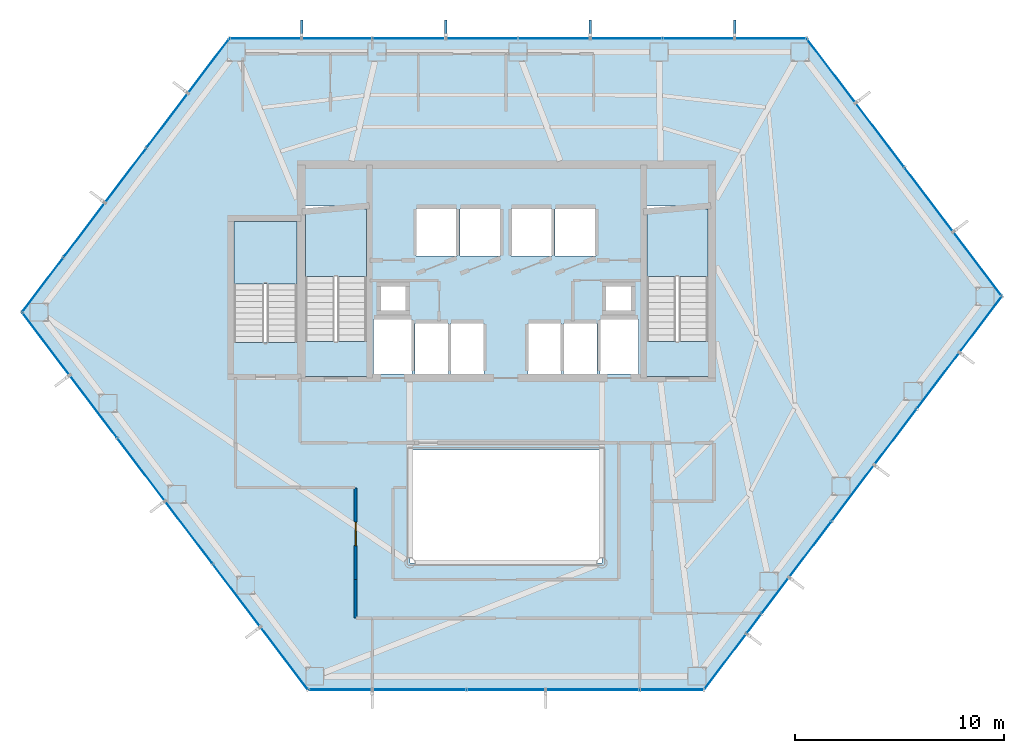
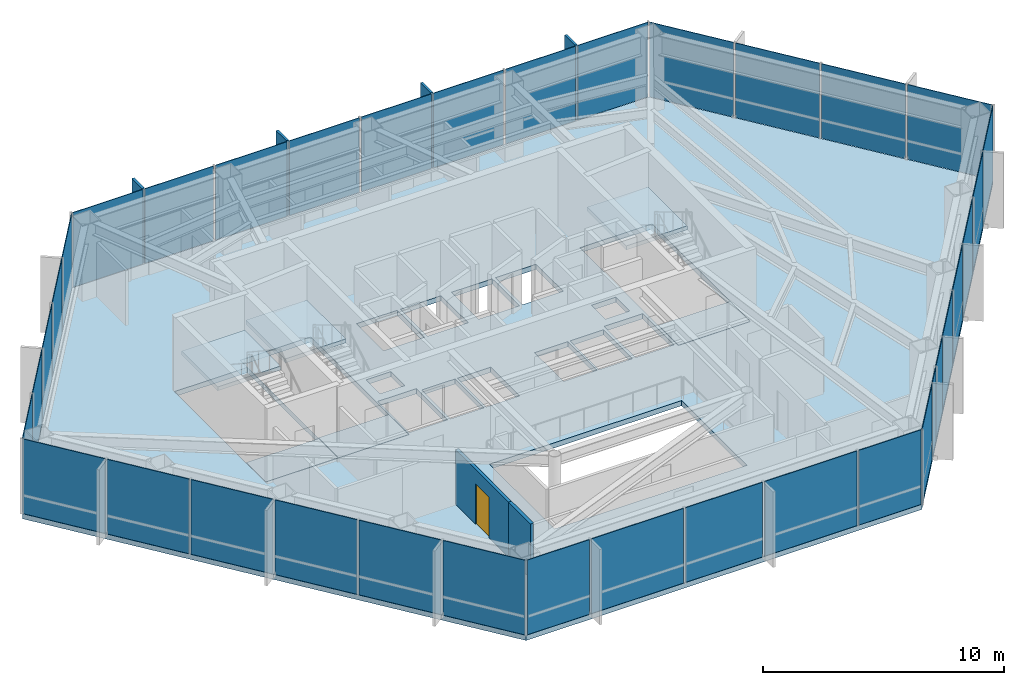
# One storey, part 20 of 24: 36 plates, 7 slabs, 4 members, 2 walls, 1 door, 1 opening, 9 elements without a shape of their own.
"""IFC4 building model written with IfcOpenShell, lengths in metres."""

from ifc_helpers import new_model, si_unit, direction, frame, frame_2d, origin, origin_2d, place, context, subcontext, project, spatial, polyline, rectangle, outline, extrude, material, layer, layer_set, material_profile, profile_set, type_object, element, fill, aggregate, save


model = new_model("IFC4")

# Units and contexts
model_context = context("Model", 3, precision=1e-05, world=origin(), true_north=direction((0.0, 1.0)))
body_context = subcontext(model_context, "Body", "Model", "MODEL_VIEW")
ifc_project = project(units=[si_unit("LENGTHUNIT", "METRE"), si_unit("AREAUNIT", "SQUARE_METRE"), si_unit("VOLUMEUNIT", "CUBIC_METRE"), si_unit("PLANEANGLEUNIT", "RADIAN"), si_unit("MASSUNIT", "GRAM", prefix="KILO")], contexts=[model_context])

# Site, building, storey
site_placement = place(None, origin())
site = spatial("IfcSite", under=ifc_project, at=site_placement, CompositionType="ELEMENT")
building_placement = place(site_placement, origin())
building = spatial("IfcBuilding", under=site, at=building_placement, Name="Zarrinselat Tower", CompositionType="ELEMENT")
storey_placement = place(building_placement, frame((0.0, 0.0, 96.89990234375)))
storey = spatial("IfcBuildingStorey", under=building, at=storey_placement, Name="L23", CompositionType="ELEMENT", Elevation=96.89990234375)

# Curtain wall, members, plates
ifc_material_1 = material(Name="Extruded Aluminium Alloy EN AW-6063 T6", Category="aluminium")
ifc_layer_1 = layer(ifc_material_1, 0.18505859375)
ifc_layer_set_1 = layer_set([ifc_layer_1], Name="Extruded Aluminium Alloy EN AW-6063 T6")
curtain_wall_type = type_object("IfcCurtainWallType", Name="CWS-OFF", PredefinedType="NOTDEFINED", material=ifc_layer_set_1)
curtain_wall_1_placement = place(storey_placement, origin())
curtain_wall_1 = element("IfcCurtainWall", 1, at=curtain_wall_1_placement, inside=storey, type_object=curtain_wall_type, Name="L23 Unitised Curtain Wall CW-L23-E01", PredefinedType="NOTDEFINED")
ifc_material_2 = material(Name="Honed Cream Travertine Stone", Category="masonry")
ifc_material_profile = material_profile(ifc_material_2, rectangle(XDim=0.1201171875, YDim=0.85009765625, at=origin_2d()), Name="FIN 850x120")
ifc_profile_set = profile_set([ifc_material_profile], Name="Honed Cream Travertine Stone")
member_type = type_object("IfcMemberType", Name="MEM-STONE-FIN", PredefinedType="USERDEFINED", material=ifc_profile_set)
member_1_placement = place(storey_placement, frame((49.340576171875, 49.9599609375, 0.0), z_axis=(0.0, 0.0, 1.0), x_axis=(1.0, 0.0, 0.0)))
member_1 = element("IfcMember", 2, at=member_1_placement, type_object=member_type, Name="L23 Stone Shading Fin CW-L23-E01-01", ObjectType="FIN", PredefinedType="USERDEFINED", context=body_context, shape_type="SweptSolid", body=[
    extrude(rectangle(XDim=0.1201171875, YDim=0.85009765625, at=origin_2d()), origin(), (0.0, 0.0, 1.0), 3.820068359375),
])
member_2_placement = place(storey_placement, frame((42.432861328125, 49.9599609375, 0.0), z_axis=(0.0, 0.0, 1.0), x_axis=(1.0, 0.0, 0.0)))
member_2 = element("IfcMember", 3, at=member_2_placement, type_object=member_type, Name="L23 Stone Shading Fin CW-L23-E01-03", ObjectType="FIN", PredefinedType="USERDEFINED", context=body_context, shape_type="SweptSolid", body=[
    extrude(rectangle(XDim=0.1201171875, YDim=0.85009765625, at=origin_2d()), origin(), (0.0, 0.0, 1.0), 3.820068359375),
])
member_3_placement = place(storey_placement, frame((35.525146484375, 49.9599609375, 0.0), z_axis=(0.0, 0.0, 1.0), x_axis=(1.0, 0.0, 0.0)))
member_3 = element("IfcMember", 4, at=member_3_placement, type_object=member_type, Name="L23 Stone Shading Fin CW-L23-E01-05", ObjectType="FIN", PredefinedType="USERDEFINED", context=body_context, shape_type="SweptSolid", body=[
    extrude(rectangle(XDim=0.1201171875, YDim=0.85009765625, at=origin_2d()), origin(), (0.0, 0.0, 1.0), 3.820068359375),
])
member_4_placement = place(storey_placement, frame((28.617431640625, 49.9599609375, 0.0), z_axis=(0.0, 0.0, 1.0), x_axis=(1.0, 0.0, 0.0)))
member_4 = element("IfcMember", 5, at=member_4_placement, type_object=member_type, Name="L23 Stone Shading Fin CW-L23-E01-07", ObjectType="FIN", PredefinedType="USERDEFINED", context=body_context, shape_type="SweptSolid", body=[
    extrude(rectangle(XDim=0.1201171875, YDim=0.85009765625, at=origin_2d()), origin(), (0.0, 0.0, 1.0), 3.820068359375),
])
ifc_material_3 = material(Name="Double Low-E Laminated Solar Glass", Category="glass")
ifc_layer_2 = layer(ifc_material_3, 0.031982421875)
ifc_layer_set_2 = layer_set([ifc_layer_2], Name="Double Low-E Laminated Solar Glass")
plate_type = type_object("IfcPlateType", Name="PLT-CW-GL32", PredefinedType="CURTAIN_PANEL", material=ifc_layer_set_2)
plate_1_placement = place(storey_placement, frame((51.067626953125, 49.5, 0.02001953125), z_axis=(0.0, 0.0, 1.0), x_axis=(-1.0, 0.0, 0.0)))
plate_1 = element("IfcPlate", 6, at=plate_1_placement, type_object=plate_type, Name="CW-L23-E01 Vision Glass Panel 1", PredefinedType="CURTAIN_PANEL", context=body_context, shape_type="SweptSolid", body=[
    extrude(rectangle(XDim=3.35400390625, YDim=0.031982421875, at=origin_2d()), origin(), (0.0, 0.0, 1.0), 3.780029296875),
])
plate_2_placement = place(storey_placement, frame((47.61376953125, 49.5, 0.02001953125), z_axis=(0.0, 0.0, 1.0), x_axis=(-1.0, 0.0, 0.0)))
plate_2 = element("IfcPlate", 7, at=plate_2_placement, type_object=plate_type, Name="CW-L23-E01 Vision Glass Panel 2", PredefinedType="CURTAIN_PANEL", context=body_context, shape_type="SweptSolid", body=[
    extrude(rectangle(XDim=3.35400390625, YDim=0.031982421875, at=origin_2d()), origin(), (0.0, 0.0, 1.0), 3.780029296875),
])
plate_3_placement = place(storey_placement, frame((44.159912109375, 49.5, 0.02001953125), z_axis=(0.0, 0.0, 1.0), x_axis=(-1.0, 0.0, 0.0)))
plate_3 = element("IfcPlate", 8, at=plate_3_placement, type_object=plate_type, Name="CW-L23-E01 Vision Glass Panel 3", PredefinedType="CURTAIN_PANEL", context=body_context, shape_type="SweptSolid", body=[
    extrude(rectangle(XDim=3.35400390625, YDim=0.031982421875, at=origin_2d()), origin(), (0.0, 0.0, 1.0), 3.780029296875),
])
plate_4_placement = place(storey_placement, frame((40.7060546875, 49.5, 0.02001953125), z_axis=(0.0, 0.0, 1.0), x_axis=(-1.0, 0.0, 0.0)))
plate_4 = element("IfcPlate", 9, at=plate_4_placement, type_object=plate_type, Name="CW-L23-E01 Vision Glass Panel 4", PredefinedType="CURTAIN_PANEL", context=body_context, shape_type="SweptSolid", body=[
    extrude(rectangle(XDim=3.35400390625, YDim=0.031982421875, at=origin_2d()), origin(), (0.0, 0.0, 1.0), 3.780029296875),
])
plate_5_placement = place(storey_placement, frame((37.252197265625, 49.5, 0.02001953125), z_axis=(0.0, 0.0, 1.0), x_axis=(-1.0, 0.0, 0.0)))
plate_5 = element("IfcPlate", 10, at=plate_5_placement, type_object=plate_type, Name="CW-L23-E01 Vision Glass Panel 5", PredefinedType="CURTAIN_PANEL", context=body_context, shape_type="SweptSolid", body=[
    extrude(rectangle(XDim=3.35400390625, YDim=0.031982421875, at=origin_2d()), origin(), (0.0, 0.0, 1.0), 3.780029296875),
])
plate_6_placement = place(storey_placement, frame((33.7626953125, 49.5, 0.02001953125), z_axis=(0.0, 0.0, 1.0), x_axis=(-1.0, 0.0, 0.0)))
plate_6 = element("IfcPlate", 11, at=plate_6_placement, type_object=plate_type, Name="CW-L23-E01 Vision Glass Panel 6", PredefinedType="CURTAIN_PANEL", context=body_context, shape_type="SweptSolid", body=[
    extrude(rectangle(XDim=3.42529296875, YDim=0.031982421875, at=origin_2d()), origin(), (0.0, 0.0, 1.0), 3.780029296875),
])
plate_7_placement = place(storey_placement, frame((30.30859375, 49.5, 0.02001953125), z_axis=(0.0, 0.0, 1.0), x_axis=(-1.0, 0.0, 0.0)))
plate_7 = element("IfcPlate", 12, at=plate_7_placement, type_object=plate_type, Name="CW-L23-E01 Vision Glass Panel 7", PredefinedType="CURTAIN_PANEL", context=body_context, shape_type="SweptSolid", body=[
    extrude(rectangle(XDim=3.282470703125, YDim=0.031982421875, at=origin_2d()), origin(), (0.0, 0.0, 1.0), 3.780029296875),
])
plate_8_placement = place(storey_placement, frame((26.890380859375, 49.5, 0.02001953125), z_axis=(0.0, 0.0, 1.0), x_axis=(-1.0, 0.0, 0.0)))
plate_8 = element("IfcPlate", 13, at=plate_8_placement, type_object=plate_type, Name="CW-L23-E01 Vision Glass Panel 8", PredefinedType="CURTAIN_PANEL", context=body_context, shape_type="SweptSolid", body=[
    extrude(rectangle(XDim=3.35400390625, YDim=0.031982421875, at=origin_2d()), origin(), (0.0, 0.0, 1.0), 3.780029296875),
])
aggregate(curtain_wall_1, [member_1, member_2, member_3, member_4, plate_1, plate_2, plate_3, plate_4, plate_5, plate_6, plate_7, plate_8])

# Curtain wall, plates
curtain_wall_2_placement = place(storey_placement, origin())
curtain_wall_2 = element("IfcCurtainWall", 14, at=curtain_wall_2_placement, inside=storey, type_object=curtain_wall_type, Name="L23 Unitised Curtain Wall CW-L23-E02", PredefinedType="NOTDEFINED")
plate_9_placement = place(storey_placement, frame((24.1708984375, 48.189697265625, 0.02001953125), z_axis=(0.0, 0.0, 1.0), x_axis=(-0.603854877249, -0.7970942775, 0.0)))
plate_9 = element("IfcPlate", 15, at=plate_9_placement, type_object=plate_type, Name="CW-L23-E02 Vision Glass Panel 1", PredefinedType="CURTAIN_PANEL", context=body_context, shape_type="SweptSolid", body=[
    extrude(rectangle(XDim=3.18798828125, YDim=0.031982421875, at=origin_2d()), origin(), (0.0, 0.0, 1.0), 3.780029296875),
])
plate_10_placement = place(storey_placement, frame((22.185302734375, 45.56884765625, 0.02001953125), z_axis=(0.0, 0.0, 1.0), x_axis=(-0.603854877249, -0.7970942775, 0.0)))
plate_10 = element("IfcPlate", 16, at=plate_10_placement, type_object=plate_type, Name="CW-L23-E02 Vision Glass Panel 2", PredefinedType="CURTAIN_PANEL", context=body_context, shape_type="SweptSolid", body=[
    extrude(rectangle(XDim=3.18798828125, YDim=0.031982421875, at=origin_2d()), origin(), (0.0, 0.0, 1.0), 3.780029296875),
])
plate_11_placement = place(storey_placement, frame((20.199951171875, 42.947998046875, 0.02001953125), z_axis=(0.0, 0.0, 1.0), x_axis=(-0.603854877249, -0.7970942775, 0.0)))
plate_11 = element("IfcPlate", 17, at=plate_11_placement, type_object=plate_type, Name="CW-L23-E02 Vision Glass Panel 3", PredefinedType="CURTAIN_PANEL", context=body_context, shape_type="SweptSolid", body=[
    extrude(rectangle(XDim=3.18798828125, YDim=0.031982421875, at=origin_2d()), origin(), (0.0, 0.0, 1.0), 3.780029296875),
])
plate_12_placement = place(storey_placement, frame((18.214599609375, 40.3271484375, 0.02001953125), z_axis=(0.0, 0.0, 1.0), x_axis=(-0.603854877249, -0.7970942775, 0.0)))
plate_12 = element("IfcPlate", 18, at=plate_12_placement, type_object=plate_type, Name="CW-L23-E02 Vision Glass Panel 4", PredefinedType="CURTAIN_PANEL", context=body_context, shape_type="SweptSolid", body=[
    extrude(rectangle(XDim=3.18798828125, YDim=0.031982421875, at=origin_2d()), origin(), (0.0, 0.0, 1.0), 3.780029296875),
])
plate_13_placement = place(storey_placement, frame((16.22900390625, 37.706298828125, 0.02001953125), z_axis=(0.0, 0.0, 1.0), x_axis=(-0.603854877249, -0.7970942775, 0.0)))
plate_13 = element("IfcPlate", 19, at=plate_13_placement, type_object=plate_type, Name="CW-L23-E02 Vision Glass Panel 5", PredefinedType="CURTAIN_PANEL", context=body_context, shape_type="SweptSolid", body=[
    extrude(rectangle(XDim=3.18798828125, YDim=0.031982421875, at=origin_2d()), origin(), (0.0, 0.0, 1.0), 3.780029296875),
])
aggregate(curtain_wall_2, [plate_9, plate_10, plate_11, plate_12, plate_13])

curtain_wall_3_placement = place(storey_placement, origin())
curtain_wall_3 = element("IfcCurtainWall", 20, at=curtain_wall_3_placement, inside=storey, type_object=curtain_wall_type, Name="L23 Unitised Curtain Wall CW-L23-E03", PredefinedType="NOTDEFINED")
plate_14_placement = place(storey_placement, frame((16.377197265625, 34.89013671875, 0.02001953125), z_axis=(0.0, 0.0, 1.0), x_axis=(0.603857772927, -0.797092083812, 0.0)))
plate_14 = element("IfcPlate", 21, at=plate_14_placement, type_object=plate_type, Name="CW-L23-E03 Vision Glass Panel 1", PredefinedType="CURTAIN_PANEL", context=body_context, shape_type="SweptSolid", body=[
    extrude(rectangle(XDim=3.678466796875, YDim=0.031982421875, at=origin_2d()), origin(), (0.0, 0.0, 1.0), 3.780029296875),
])
plate_15_placement = place(storey_placement, frame((18.65869140625, 31.87841796875, 0.02001953125), z_axis=(0.0, 0.0, 1.0), x_axis=(0.603857772927, -0.797092083812, 0.0)))
plate_15 = element("IfcPlate", 22, at=plate_15_placement, type_object=plate_type, Name="CW-L23-E03 Vision Glass Panel 2", PredefinedType="CURTAIN_PANEL", context=body_context, shape_type="SweptSolid", body=[
    extrude(rectangle(XDim=3.678466796875, YDim=0.031982421875, at=origin_2d()), origin(), (0.0, 0.0, 1.0), 3.780029296875),
])
plate_16_placement = place(storey_placement, frame((20.9404296875, 28.86669921875, 0.02001953125), z_axis=(0.0, 0.0, 1.0), x_axis=(0.603857772927, -0.797092083812, 0.0)))
plate_16 = element("IfcPlate", 23, at=plate_16_placement, type_object=plate_type, Name="CW-L23-E03 Vision Glass Panel 3", PredefinedType="CURTAIN_PANEL", context=body_context, shape_type="SweptSolid", body=[
    extrude(rectangle(XDim=3.678466796875, YDim=0.031982421875, at=origin_2d()), origin(), (0.0, 0.0, 1.0), 3.780029296875),
])
plate_17_placement = place(storey_placement, frame((23.22216796875, 25.85498046875, 0.02001953125), z_axis=(0.0, 0.0, 1.0), x_axis=(0.603857772927, -0.797092083812, 0.0)))
plate_17 = element("IfcPlate", 24, at=plate_17_placement, type_object=plate_type, Name="CW-L23-E03 Vision Glass Panel 4", PredefinedType="CURTAIN_PANEL", context=body_context, shape_type="SweptSolid", body=[
    extrude(rectangle(XDim=3.678466796875, YDim=0.031982421875, at=origin_2d()), origin(), (0.0, 0.0, 1.0), 3.780029296875),
])
plate_18_placement = place(storey_placement, frame((25.503662109375, 22.84326171875, 0.02001953125), z_axis=(0.0, 0.0, 1.0), x_axis=(0.603857772927, -0.797092083812, 0.0)))
plate_18 = element("IfcPlate", 25, at=plate_18_placement, type_object=plate_type, Name="CW-L23-E03 Vision Glass Panel 5", PredefinedType="CURTAIN_PANEL", context=body_context, shape_type="SweptSolid", body=[
    extrude(rectangle(XDim=3.678466796875, YDim=0.031982421875, at=origin_2d()), origin(), (0.0, 0.0, 1.0), 3.780029296875),
])
plate_19_placement = place(storey_placement, frame((27.785400390625, 19.83154296875, 0.02001953125), z_axis=(0.0, 0.0, 1.0), x_axis=(0.603857772927, -0.797092083812, 0.0)))
plate_19 = element("IfcPlate", 26, at=plate_19_placement, type_object=plate_type, Name="CW-L23-E03 Vision Glass Panel 6", PredefinedType="CURTAIN_PANEL", context=body_context, shape_type="SweptSolid", body=[
    extrude(rectangle(XDim=3.678466796875, YDim=0.031982421875, at=origin_2d()), origin(), (0.0, 0.0, 1.0), 3.780029296875),
])
aggregate(curtain_wall_3, [plate_14, plate_15, plate_16, plate_17, plate_18, plate_19])

curtain_wall_4_placement = place(storey_placement, origin())
curtain_wall_4 = element("IfcCurtainWall", 27, at=curtain_wall_4_placement, inside=storey, type_object=curtain_wall_type, Name="L23 Unitised Curtain Wall CW-L23-E04", PredefinedType="NOTDEFINED")
plate_20_placement = place(storey_placement, frame((30.463134765625, 18.32568359375, 0.02001953125), z_axis=(0.0, 0.0, 1.0), x_axis=(1.0, 0.0, 0.0)))
plate_20 = element("IfcPlate", 28, at=plate_20_placement, type_object=plate_type, Name="CW-L23-E04 Vision Glass Panel 1", PredefinedType="CURTAIN_PANEL", context=body_context, shape_type="SweptSolid", body=[
    extrude(rectangle(XDim=2.973876953125, YDim=0.031982421875, at=origin_2d()), origin(), (0.0, 0.0, 1.0), 3.780029296875),
])
plate_21_placement = place(storey_placement, frame((34.252685546875, 18.32568359375, 0.02001953125), z_axis=(0.0, 0.0, 1.0), x_axis=(1.0, 0.0, 0.0)))
plate_21 = element("IfcPlate", 29, at=plate_21_placement, type_object=plate_type, Name="CW-L23-E04 Vision Glass Panel 2", PredefinedType="CURTAIN_PANEL", context=body_context, shape_type="SweptSolid", body=[
    extrude(rectangle(XDim=4.4052734375, YDim=0.031982421875, at=origin_2d()), origin(), (0.0, 0.0, 1.0), 3.780029296875),
])
plate_22_placement = place(storey_placement, frame((38.39990234375, 18.32568359375, 0.02001953125), z_axis=(0.0, 0.0, 1.0), x_axis=(1.0, 0.0, 0.0)))
plate_22 = element("IfcPlate", 30, at=plate_22_placement, type_object=plate_type, Name="CW-L23-E04 Vision Glass Panel 3", PredefinedType="CURTAIN_PANEL", context=body_context, shape_type="SweptSolid", body=[
    extrude(rectangle(XDim=3.689697265625, YDim=0.031982421875, at=origin_2d()), origin(), (0.0, 0.0, 1.0), 3.780029296875),
])
plate_23_placement = place(storey_placement, frame((42.54736328125, 18.32568359375, 0.02001953125), z_axis=(0.0, 0.0, 1.0), x_axis=(1.0, 0.0, 0.0)))
plate_23 = element("IfcPlate", 31, at=plate_23_placement, type_object=plate_type, Name="CW-L23-E04 Vision Glass Panel 4", PredefinedType="CURTAIN_PANEL", context=body_context, shape_type="SweptSolid", body=[
    extrude(rectangle(XDim=4.4052734375, YDim=0.031982421875, at=origin_2d()), origin(), (0.0, 0.0, 1.0), 3.780029296875),
])
plate_24_placement = place(storey_placement, frame((46.3369140625, 18.32568359375, 0.02001953125), z_axis=(0.0, 0.0, 1.0), x_axis=(1.0, 0.0, 0.0)))
plate_24 = element("IfcPlate", 32, at=plate_24_placement, type_object=plate_type, Name="CW-L23-E04 Vision Glass Panel 5", PredefinedType="CURTAIN_PANEL", context=body_context, shape_type="SweptSolid", body=[
    extrude(rectangle(XDim=2.973876953125, YDim=0.031982421875, at=origin_2d()), origin(), (0.0, 0.0, 1.0), 3.780029296875),
])
aggregate(curtain_wall_4, [plate_20, plate_21, plate_22, plate_23, plate_24])

curtain_wall_5_placement = place(storey_placement, origin())
curtain_wall_5 = element("IfcCurtainWall", 33, at=curtain_wall_5_placement, inside=storey, type_object=curtain_wall_type, Name="L23 Unitised Curtain Wall CW-L23-E05", PredefinedType="NOTDEFINED")
plate_25_placement = place(storey_placement, frame((48.89306640625, 19.6708984375, 0.02001953125), z_axis=(0.0, 0.0, 1.0), x_axis=(0.603858013909, 0.79709190125, 0.0)))
plate_25 = element("IfcPlate", 34, at=plate_25_placement, type_object=plate_type, Name="CW-L23-E05 Vision Glass Panel 1", PredefinedType="CURTAIN_PANEL", context=body_context, shape_type="SweptSolid", body=[
    extrude(rectangle(XDim=3.275634765625, YDim=0.031982421875, at=origin_2d()), origin(), (0.0, 0.0, 1.0), 3.780029296875),
])
plate_26_placement = place(storey_placement, frame((50.271240234375, 21.489990234375, 0.02001953125), z_axis=(0.0, 0.0, 1.0), x_axis=(0.603858013909, 0.79709190125, 0.0)))
plate_26 = element("IfcPlate", 35, at=plate_26_placement, type_object=plate_type, Name="CW-L23-E05 Vision Glass Panel 2", PredefinedType="CURTAIN_PANEL", context=body_context, shape_type="SweptSolid", body=[
    extrude(rectangle(XDim=1.088623046875, YDim=0.031982421875, at=origin_2d()), origin(), (0.0, 0.0, 1.0), 3.780029296875),
])
plate_27_placement = place(storey_placement, frame((51.290283203125, 22.83544921875, 0.02001953125), z_axis=(0.0, 0.0, 1.0), x_axis=(0.603858013909, 0.79709190125, 0.0)))
plate_27 = element("IfcPlate", 36, at=plate_27_placement, type_object=plate_type, Name="CW-L23-E05 Vision Glass Panel 3", PredefinedType="CURTAIN_PANEL", context=body_context, shape_type="SweptSolid", body=[
    extrude(rectangle(XDim=2.0869140625, YDim=0.031982421875, at=origin_2d()), origin(), (0.0, 0.0, 1.0), 3.780029296875),
])
plate_28_placement = place(storey_placement, frame((52.969970703125, 25.05224609375, 0.02001953125), z_axis=(0.0, 0.0, 1.0), x_axis=(0.603858013909, 0.79709190125, 0.0)))
plate_28 = element("IfcPlate", 37, at=plate_28_placement, type_object=plate_type, Name="CW-L23-E05 Vision Glass Panel 4", PredefinedType="CURTAIN_PANEL", context=body_context, shape_type="SweptSolid", body=[
    extrude(rectangle(XDim=3.275634765625, YDim=0.031982421875, at=origin_2d()), origin(), (0.0, 0.0, 1.0), 3.780029296875),
])
plate_29_placement = place(storey_placement, frame((55.00830078125, 27.742919921875, 0.02001953125), z_axis=(0.0, 0.0, 1.0), x_axis=(0.603858013909, 0.79709190125, 0.0)))
plate_29 = element("IfcPlate", 38, at=plate_29_placement, type_object=plate_type, Name="CW-L23-E05 Vision Glass Panel 5", PredefinedType="CURTAIN_PANEL", context=body_context, shape_type="SweptSolid", body=[
    extrude(rectangle(XDim=3.275634765625, YDim=0.031982421875, at=origin_2d()), origin(), (0.0, 0.0, 1.0), 3.780029296875),
])
plate_30_placement = place(storey_placement, frame((57.046630859375, 30.43359375, 0.02001953125), z_axis=(0.0, 0.0, 1.0), x_axis=(0.603858013909, 0.79709190125, 0.0)))
plate_30 = element("IfcPlate", 39, at=plate_30_placement, type_object=plate_type, Name="CW-L23-E05 Vision Glass Panel 6", PredefinedType="CURTAIN_PANEL", context=body_context, shape_type="SweptSolid", body=[
    extrude(rectangle(XDim=3.275634765625, YDim=0.031982421875, at=origin_2d()), origin(), (0.0, 0.0, 1.0), 3.780029296875),
])
plate_31_placement = place(storey_placement, frame((59.085205078125, 33.12451171875, 0.02001953125), z_axis=(0.0, 0.0, 1.0), x_axis=(0.603858013909, 0.79709190125, 0.0)))
plate_31 = element("IfcPlate", 40, at=plate_31_placement, type_object=plate_type, Name="CW-L23-E05 Vision Glass Panel 7", PredefinedType="CURTAIN_PANEL", context=body_context, shape_type="SweptSolid", body=[
    extrude(rectangle(XDim=3.275634765625, YDim=0.031982421875, at=origin_2d()), origin(), (0.0, 0.0, 1.0), 3.780029296875),
])
plate_32_placement = place(storey_placement, frame((61.12353515625, 35.815185546875, 0.02001953125), z_axis=(0.0, 0.0, 1.0), x_axis=(0.603858013909, 0.79709190125, 0.0)))
plate_32 = element("IfcPlate", 41, at=plate_32_placement, type_object=plate_type, Name="CW-L23-E05 Vision Glass Panel 8", PredefinedType="CURTAIN_PANEL", context=body_context, shape_type="SweptSolid", body=[
    extrude(rectangle(XDim=3.275634765625, YDim=0.031982421875, at=origin_2d()), origin(), (0.0, 0.0, 1.0), 3.780029296875),
])
aggregate(curtain_wall_5, [plate_25, plate_26, plate_27, plate_28, plate_29, plate_30, plate_31, plate_32])

curtain_wall_6_placement = place(storey_placement, origin())
curtain_wall_6 = element("IfcCurtainWall", 42, at=curtain_wall_6_placement, inside=storey, type_object=curtain_wall_type, Name="L23 Unitised Curtain Wall CW-L23-E06", PredefinedType="NOTDEFINED")
plate_33_placement = place(storey_placement, frame((60.97412109375, 38.702880859375, 0.02001953125), z_axis=(0.0, 0.0, 1.0), x_axis=(-0.6038584342, 0.797091582847, 0.0)))
plate_33 = element("IfcPlate", 43, at=plate_33_placement, type_object=plate_type, Name="CW-L23-E06 Vision Glass Panel 1", PredefinedType="CURTAIN_PANEL", context=body_context, shape_type="SweptSolid", body=[
    extrude(rectangle(XDim=3.770263671875, YDim=0.031982421875, at=origin_2d()), origin(), (0.0, 0.0, 1.0), 3.780029296875),
])
plate_34_placement = place(storey_placement, frame((58.63720703125, 41.787841796875, 0.02001953125), z_axis=(0.0, 0.0, 1.0), x_axis=(-0.6038584342, 0.797091582847, 0.0)))
plate_34 = element("IfcPlate", 44, at=plate_34_placement, type_object=plate_type, Name="CW-L23-E06 Vision Glass Panel 2", PredefinedType="CURTAIN_PANEL", context=body_context, shape_type="SweptSolid", body=[
    extrude(rectangle(XDim=3.770263671875, YDim=0.031982421875, at=origin_2d()), origin(), (0.0, 0.0, 1.0), 3.780029296875),
])
plate_35_placement = place(storey_placement, frame((56.300048828125, 44.872802734375, 0.02001953125), z_axis=(0.0, 0.0, 1.0), x_axis=(-0.6038584342, 0.797091582847, 0.0)))
plate_35 = element("IfcPlate", 45, at=plate_35_placement, type_object=plate_type, Name="CW-L23-E06 Vision Glass Panel 3", PredefinedType="CURTAIN_PANEL", context=body_context, shape_type="SweptSolid", body=[
    extrude(rectangle(XDim=3.770263671875, YDim=0.031982421875, at=origin_2d()), origin(), (0.0, 0.0, 1.0), 3.780029296875),
])
plate_36_placement = place(storey_placement, frame((53.962890625, 47.95751953125, 0.02001953125), z_axis=(0.0, 0.0, 1.0), x_axis=(-0.6038584342, 0.797091582847, 0.0)))
plate_36 = element("IfcPlate", 46, at=plate_36_placement, type_object=plate_type, Name="CW-L23-E06 Vision Glass Panel 4", PredefinedType="CURTAIN_PANEL", context=body_context, shape_type="SweptSolid", body=[
    extrude(rectangle(XDim=3.770263671875, YDim=0.031982421875, at=origin_2d()), origin(), (0.0, 0.0, 1.0), 3.780029296875),
])
aggregate(curtain_wall_6, [plate_33, plate_34, plate_35, plate_36])

# Slabs
ifc_material_4 = material(Name="Concrete C40/50", Category="concrete")
ifc_layer_3 = layer(ifc_material_4, 0.260009765625)
ifc_layer_set_3 = layer_set([ifc_layer_3], Name="Concrete C40/50")
slab_type_1 = type_object("IfcSlabType", Name="SLB-FLOOR-260-SL-OF260", PredefinedType="FLOOR", material=ifc_layer_set_3)
slab_1_placement = place(storey_placement, frame((0.0, 0.0, -0.260009765625)))
element("IfcSlab", 47, at=slab_1_placement, inside=storey, type_object=slab_type_1, Name="L23 Primary Structural Slab", PredefinedType="FLOOR", context=body_context, shape_type="SweptSolid", body=[
    extrude(outline(polyline([(52.79443359375, 49.5), (25.16357421875, 49.5), (15.236328125, 36.39599609375), (28.926025390625, 18.32568359375), (47.873779296875, 18.32568359375), (62.142578125, 37.160400390625), (52.79443359375, 49.5)]), holes=[polyline([(34.050048828125, 33.449951171875), (34.050048828125, 35.85009765625), (35.64990234375, 35.85009765625), (35.64990234375, 33.449951171875), (34.050048828125, 33.449951171875)]), polyline([(35.75, 33.449951171875), (35.75, 35.85009765625), (37.35009765625, 35.85009765625), (37.35009765625, 33.449951171875), (35.75, 33.449951171875)]), polyline([(32.06005859375, 33.449951171875), (32.06005859375, 36.050048828125), (33.89990234375, 36.050048828125), (33.89990234375, 33.449951171875), (32.06005859375, 33.449951171875)]), polyline([(32.419921875, 36.47998046875), (32.419921875, 37.639892578125), (33.60009765625, 37.639892578125), (33.60009765625, 36.47998046875), (32.419921875, 36.47998046875)]), polyline([(28.594970703125, 33.324951171875), (25.114990234375, 33.324951171875), (25.114990234375, 40.875), (28.594970703125, 40.875), (28.594970703125, 33.324951171875)]), polyline([(31.985107421875, 33.324951171875), (28.60498046875, 33.324951171875), (28.60498046875, 41.47509765625), (31.985107421875, 41.47509765625), (31.985107421875, 33.324951171875)]), polyline([(34.10009765625, 39.10009765625), (34.10009765625, 41.35009765625), (36.050048828125, 41.35009765625), (36.050048828125, 39.10009765625), (34.10009765625, 39.10009765625)]), polyline([(36.199951171875, 39.10009765625), (36.199951171875, 41.35009765625), (38.14990234375, 41.35009765625), (38.14990234375, 39.10009765625), (36.199951171875, 39.10009765625)]), polyline([(33.800048828125, 24.39990234375), (33.800048828125, 29.800048828125), (43.0, 29.800048828125), (43.0, 24.39990234375), (33.800048828125, 24.39990234375)]), polyline([(39.449951171875, 33.449951171875), (39.449951171875, 35.85009765625), (41.050048828125, 35.85009765625), (41.050048828125, 33.449951171875), (39.449951171875, 33.449951171875)]), polyline([(41.14990234375, 33.449951171875), (41.14990234375, 35.85009765625), (42.75, 35.85009765625), (42.75, 33.449951171875), (41.14990234375, 33.449951171875)]), polyline([(42.89990234375, 33.449951171875), (42.89990234375, 36.050048828125), (44.739990234375, 36.050048828125), (44.739990234375, 33.449951171875), (42.89990234375, 33.449951171875)]), polyline([(43.199951171875, 36.47998046875), (43.199951171875, 37.639892578125), (44.3798828125, 37.639892578125), (44.3798828125, 36.47998046875), (43.199951171875, 36.47998046875)]), polyline([(48.324951171875, 33.324951171875), (44.875, 33.324951171875), (44.875, 41.47509765625), (48.324951171875, 41.47509765625), (48.324951171875, 33.324951171875)]), polyline([(38.64990234375, 39.10009765625), (38.64990234375, 41.35009765625), (40.60009765625, 41.35009765625), (40.60009765625, 39.10009765625), (38.64990234375, 39.10009765625)]), polyline([(40.75, 39.10009765625), (40.75, 41.35009765625), (42.699951171875, 41.35009765625), (42.699951171875, 39.10009765625), (40.75, 39.10009765625)])]), origin(), (0.0, 0.0, 1.0), 0.260009765625),
])
slab_2_placement = place(storey_placement, frame((0.0, 0.0, -0.260009765625)))
element("IfcSlab", 48, at=slab_2_placement, inside=storey, type_object=slab_type_1, Name="L23 Stair ST-1-FL1 Structural Floor Landing", PredefinedType="FLOOR", context=body_context, shape_type="SweptSolid", body=[
    extrude(outline(polyline([(31.97998046875, 33.330078125), (31.97998046875, 35.0), (28.610107421875, 35.0), (28.610107421875, 33.330078125), (31.97998046875, 33.330078125)])), origin(), (0.0, 0.0, 1.0), 0.260009765625),
])
slab_3_placement = place(storey_placement, frame((0.0, 0.0, -0.260009765625)))
element("IfcSlab", 49, at=slab_3_placement, inside=storey, type_object=slab_type_1, Name="L23 Stair ST-2-FL1 Structural Floor Landing", PredefinedType="FLOOR", context=body_context, shape_type="SweptSolid", body=[
    extrude(outline(polyline([(48.320068359375, 33.330078125), (48.320068359375, 35.0), (44.8798828125, 35.0), (44.8798828125, 33.330078125), (48.320068359375, 33.330078125)])), origin(), (0.0, 0.0, 1.0), 0.260009765625),
])
slab_4_placement = place(storey_placement, frame((0.0, 0.0, -0.260009765625)))
element("IfcSlab", 50, at=slab_4_placement, inside=storey, type_object=slab_type_1, Name="L23 Stair ST-3-FL1 Structural Floor Landing", PredefinedType="FLOOR", context=body_context, shape_type="SweptSolid", body=[
    extrude(outline(polyline([(28.590087890625, 33.330078125), (28.590087890625, 34.949951171875), (25.1201171875, 34.949951171875), (25.1201171875, 33.330078125), (28.590087890625, 33.330078125)])), origin(), (0.0, 0.0, 1.0), 0.260009765625),
])

# Stair, slab
ifc_material_5 = material(Name="Concrete C40/50", Category="concrete")
stair_type_1 = type_object("IfcStairType", Name="STR-CORE-145", PredefinedType="HALF_TURN_STAIR", material=ifc_material_5)
stair_1_placement = place(storey_placement, origin())
stair_1 = element("IfcStair", 51, at=stair_1_placement, inside=storey, type_object=stair_type_1, Name="L23 Podium & Mid-Tower Exit Stair 3", PredefinedType="HALF_TURN_STAIR")
ifc_material_6 = material(Name="Concrete C40/50", Category="concrete")
ifc_layer_4 = layer(ifc_material_6, 0.1650390625)
ifc_layer_set_4 = layer_set([ifc_layer_4], Name="Concrete C40/50")
slab_type_2 = type_object("IfcSlabType", Name="SLB-LND-165", PredefinedType="LANDING", material=ifc_layer_set_4)
slab_5_placement = place(storey_placement, frame((0.0, 0.0, 1.840087890625)))
slab_5 = element("IfcSlab", 52, at=slab_5_placement, type_object=slab_type_2, Name="ST-3 landing 1", PredefinedType="LANDING", context=body_context, shape_type="SweptSolid", body=[
    extrude(outline(polyline([(28.39990234375, 37.75), (28.39990234375, 40.75), (25.3798828125, 40.75), (25.3798828125, 37.75), (28.39990234375, 37.75)])), origin(), (0.0, 0.0, 1.0), 0.199951171875),
])
aggregate(stair_1, [slab_5])

ifc_material_7 = material(Name="Concrete C40/50", Category="concrete")
stair_type_2 = type_object("IfcStairType", Name="STR-CORE-155", PredefinedType="HALF_TURN_STAIR", material=ifc_material_7)
stair_2_placement = place(storey_placement, origin())
stair_2 = element("IfcStair", 53, at=stair_2_placement, inside=storey, type_object=stair_type_2, Name="L23 Core Exit Stair 1", PredefinedType="HALF_TURN_STAIR")
ifc_material_8 = material(Name="Concrete C40/50", Category="concrete")
ifc_layer_5 = layer(ifc_material_8, 0.18994140625)
ifc_layer_set_5 = layer_set([ifc_layer_5], Name="Concrete C40/50")
slab_type_3 = type_object("IfcSlabType", Name="SLB-LND-190", PredefinedType="LANDING", material=ifc_layer_set_5)
slab_6_placement = place(storey_placement, frame((0.0, 0.0, 1.840087890625)))
slab_6 = element("IfcSlab", 54, at=slab_6_placement, type_object=slab_type_3, Name="ST-1 landing 1", PredefinedType="LANDING", context=body_context, shape_type="SweptSolid", body=[
    extrude(outline(polyline([(31.719970703125, 38.10009765625), (31.719970703125, 41.35009765625), (28.800048828125, 41.35009765625), (28.800048828125, 38.10009765625), (31.719970703125, 38.10009765625)])), origin(), (0.0, 0.0, 1.0), 0.199951171875),
])
aggregate(stair_2, [slab_6])

stair_3_placement = place(storey_placement, origin())
stair_3 = element("IfcStair", 55, at=stair_3_placement, inside=storey, type_object=stair_type_2, Name="L23 Core Exit Stair 2", PredefinedType="HALF_TURN_STAIR")
slab_7_placement = place(storey_placement, frame((0.0, 0.0, 1.840087890625)))
slab_7 = element("IfcSlab", 56, at=slab_7_placement, type_object=slab_type_3, Name="ST-2 landing 1", PredefinedType="LANDING", context=body_context, shape_type="SweptSolid", body=[
    extrude(outline(polyline([(48.06005859375, 38.10009765625), (48.06005859375, 41.35009765625), (45.139892578125, 41.35009765625), (45.139892578125, 38.10009765625), (48.06005859375, 38.10009765625)])), origin(), (0.0, 0.0, 1.0), 0.199951171875),
])
aggregate(stair_3, [slab_7])

# Wall
ifc_material_9 = material(Name="Fire-Rated Gypsum Board Partition", Category="gypsum")
ifc_layer_6 = layer(ifc_material_9, 0.14990234375)
ifc_layer_set_6 = layer_set([ifc_layer_6], Name="Fire-Rated Gypsum Board Partition")
wall_type = type_object("IfcWallType", Name="WAL-PART-EI60", PredefinedType="PARTITIONING", material=ifc_layer_set_6)
wall_1_placement = place(storey_placement, frame((31.199951171875, 21.77001953125, 0.0), z_axis=(0.0, 0.0, 1.0), x_axis=(0.0, 1.0, 0.0)))
element("IfcWall", 57, at=wall_1_placement, inside=storey, type_object=wall_type, Name="L23 Partition Wall 20", PredefinedType="PARTITIONING", context=body_context, shape_type="SweptSolid", body=[
    extrude(rectangle(XDim=1.830078125, YDim=0.14990234375, at=frame_2d((0.9150390625, 0.0))), origin(), (0.0, 0.0, 1.0), 2.777099609375),
])

# Wall, opening, door
wall_2_placement = place(storey_placement, frame((31.199951171875, 23.60009765625, 0.0), z_axis=(0.0, 0.0, 1.0), x_axis=(0.0, 1.0, 0.0)))
wall_2 = element("IfcWall", 58, at=wall_2_placement, inside=storey, type_object=wall_type, Name="L23 Partition Wall 21", PredefinedType="PARTITIONING", context=body_context, shape_type="SweptSolid", body=[
    extrude(rectangle(XDim=4.3798828125, YDim=0.14990234375, at=frame_2d((2.18994140625, 0.0))), origin(), (0.0, 0.0, 1.0), 2.777099609375),
])
opening_placement = place(wall_2_placement, frame((1.6298828125, 0.0, 0.0)))
opening = element("IfcOpeningElement", 59, at=opening_placement, cuts=wall_2, Name="Opening ID-02", PredefinedType="OPENING", context=body_context, shape_type="SweptSolid", body=[
    extrude(rectangle(XDim=1.1201171875, YDim=2.050048828125, at=frame_2d((0.56005859375, 1.02490234375))), frame((0.0, 0.0849609375, 0.0), z_axis=(0.0, -1.0, 0.0), x_axis=(1.0, 0.0, 0.0)), (0.0, 0.0, 1.0), 0.169921875),
])
ifc_material_10 = material(Name="Steel S355J2", Category="steel")
door_type = type_object("IfcDoorType", Name="DR-INT-FD60-W", OperationType="NOTDEFINED", PredefinedType="DOOR", material=ifc_material_10)
door_placement = place(opening_placement, origin())
door = element("IfcDoor", 60, at=door_placement, inside=storey, type_object=door_type, Name="L23 Interior Door P21", OperationType="SINGLE_SWING_LEFT", OverallHeight=2.050048828125, OverallWidth=1.1201171875, PredefinedType="DOOR", context=body_context, shape_type="SweptSolid", body=[
    extrude(rectangle(XDim=1.1201171875, YDim=2.050048828125, at=frame_2d((0.56005859375, 1.02490234375))), frame((0.0, 0.02490234375, 0.0), z_axis=(0.0, -1.0, 0.0), x_axis=(1.0, 0.0, 0.0)), (0.0, 0.0, 1.0), 0.050048828125),
])
fill(opening, door)

save(model, "model.ifc")
